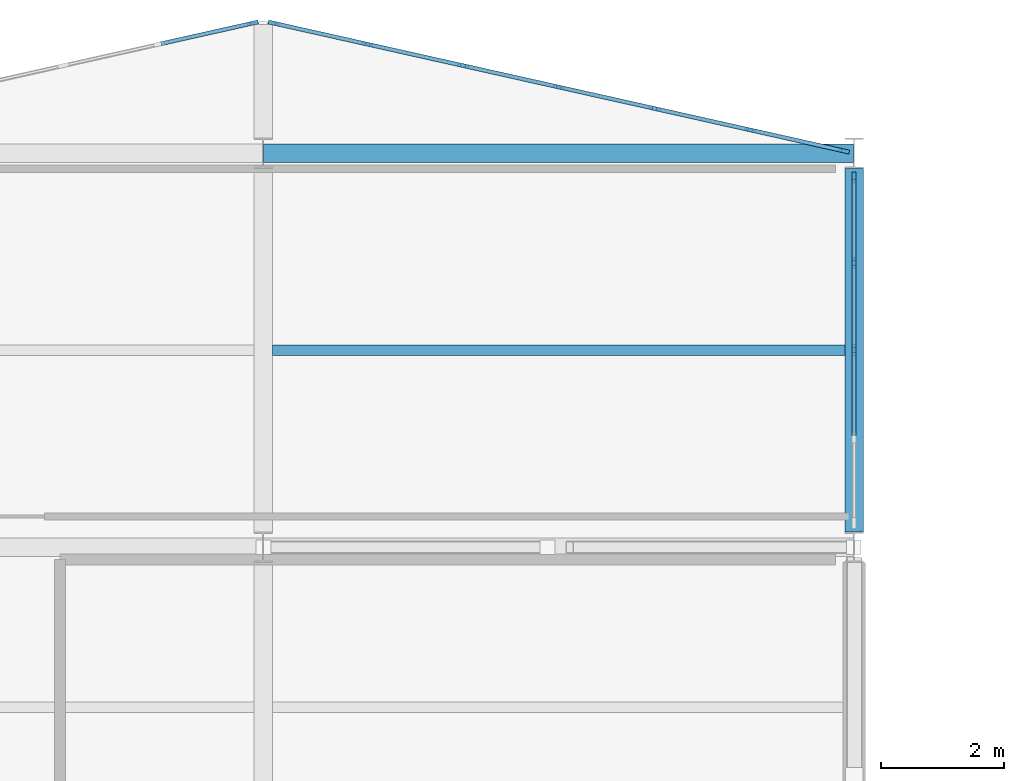
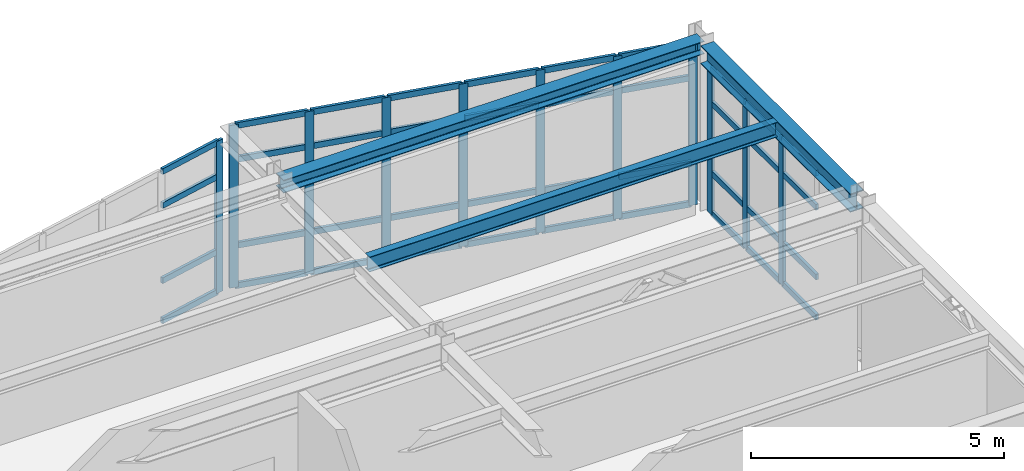
# One storey, part 37 of 64: 51 members, 3 beams, 3 elements without a shape of their own.
"""IFC4 building model written with IfcOpenShell, lengths in metres."""

from ifc_helpers import new_model, si_unit, direction, frame, origin, origin_2d, place, context, subcontext, project, spatial, rectangle, i_section, extrude, material, layer, layer_set, material_profile, profile_set, type_object, element, aggregate, save


model = new_model("IFC4")

# Units and contexts
model_context = context("Model", 3, precision=1e-05, world=origin(), true_north=direction((0.0, 1.0)))
body_context = subcontext(model_context, "Body", "Model", "MODEL_VIEW")
ifc_project = project(units=[si_unit("LENGTHUNIT", "METRE"), si_unit("AREAUNIT", "SQUARE_METRE"), si_unit("VOLUMEUNIT", "CUBIC_METRE"), si_unit("PLANEANGLEUNIT", "RADIAN"), si_unit("MASSUNIT", "GRAM", prefix="KILO")], contexts=[model_context])

# Site, building, storey
site_placement = place(None, origin())
site = spatial("IfcSite", under=ifc_project, at=site_placement, CompositionType="ELEMENT")
building_placement = place(site_placement, origin())
building = spatial("IfcBuilding", under=site, at=building_placement, Name="Nordkorset Police Headquarters", CompositionType="ELEMENT")
storey_placement = place(building_placement, frame((0.0, 0.0, 17.85009765625)))
storey = spatial("IfcBuildingStorey", under=building, at=storey_placement, Name="L04", CompositionType="ELEMENT", Elevation=17.85009765625)

# Beam
ifc_material_1 = material(Name="Steel S355J2", Category="steel")
ifc_material_profile_1 = material_profile(ifc_material_1, i_section(OverallWidth=0.169921875, OverallDepth=0.360107421875, WebThickness=0.008056640625, FlangeThickness=0.0126953125, FilletRadius=0.01806640625, at=origin_2d()), Name="IPE 360")
ifc_profile_set_1 = profile_set([ifc_material_profile_1], Name="Steel S355J2")
beam_type_1 = type_object("IfcBeamType", Name="Beam_IPE_360", PredefinedType="BEAM", material=ifc_profile_set_1)
beam_1_placement = place(storey_placement, frame((76.949951171875, 113.60009765625, 3.809814453125), z_axis=(1.0, 0.0, 0.0), x_axis=(0.0, 1.0, 0.0)))
element("IfcBeam", 1, at=beam_1_placement, inside=storey, type_object=beam_type_1, Name="Composite Floor Beam V2 L04 5-2-1", PredefinedType="BEAM", context=body_context, shape_type="SweptSolid", body=[
    extrude(i_section(OverallWidth=0.169921875, OverallDepth=0.360107421875, WebThickness=0.008056640625, FlangeThickness=0.0126953125, FilletRadius=0.01806640625, at=origin_2d()), origin(), (0.0, 0.0, 1.0), 9.300048828125),
])

# Curtain wall, member
ifc_material_2 = material(Name="Aluminium alloy AW-6060", Category="aluminium")
ifc_layer_1 = layer(ifc_material_2, 0.179931640625, Name="Aluminium alloy AW-6060")
ifc_layer_set_1 = layer_set([ifc_layer_1], Name="Aluminium alloy AW-6060")
curtain_wall_type_1 = type_object("IfcCurtainWallType", Name="CW_Unit_956x366", PredefinedType="USERDEFINED", material=ifc_layer_set_1)
curtain_wall_1_placement = place(storey_placement, origin())
curtain_wall_1 = element("IfcCurtainWall", 2, at=curtain_wall_1_placement, inside=storey, type_object=curtain_wall_type_1, Name="Unitised Curtain Wall L04 V2N-4", ObjectType="UNITISED CURTAIN WALL", PredefinedType="USERDEFINED")
ifc_material_3 = material(Name="Aluminium alloy AW-6060", Category="aluminium")
ifc_material_profile_2 = material_profile(ifc_material_3, rectangle(XDim=0.06494140625, YDim=0.179931640625, at=origin_2d()), Name="ALU MULL 65x180")
ifc_profile_set_2 = profile_set([ifc_material_profile_2], Name="Aluminium alloy AW-6060")
member_type_1 = type_object("IfcMemberType", Name="CW_Mullion_65x180", PredefinedType="MULLION", material=ifc_profile_set_2)
member_1_placement = place(storey_placement, frame((76.631591796875, 118.912353515625, 0.0), z_axis=(0.0, 0.0, 1.0), x_axis=(-0.218544020358, 0.975827090814, 0.0)))
member_1 = element("IfcMember", 3, at=member_1_placement, type_object=member_type_1, Name="CW-61 mullion 7", PredefinedType="MULLION", context=body_context, shape_type="SweptSolid", body=[
    extrude(rectangle(XDim=0.06494140625, YDim=0.179931640625, at=origin_2d()), origin(), (0.0, 0.0, 1.0), 3.659912109375),
])

# Curtain wall, members
ifc_material_4 = material(Name="Aluminium alloy AW-6060", Category="aluminium")
ifc_layer_2 = layer(ifc_material_4, 0.179931640625, Name="Aluminium alloy AW-6060")
ifc_layer_set_2 = layer_set([ifc_layer_2], Name="Aluminium alloy AW-6060")
curtain_wall_type_2 = type_object("IfcCurtainWallType", Name="CW_Unit_956x392", PredefinedType="USERDEFINED", material=ifc_layer_set_2)
curtain_wall_2_placement = place(storey_placement, origin())
curtain_wall_2 = element("IfcCurtainWall", 4, at=curtain_wall_2_placement, inside=storey, type_object=curtain_wall_type_2, Name="Unitised Curtain Wall L04 V2N-5", ObjectType="UNITISED CURTAIN WALL", PredefinedType="USERDEFINED")
member_2_placement = place(storey_placement, frame((76.96826171875, 118.912353515625, 0.0), z_axis=(0.0, 0.0, 1.0), x_axis=(0.218544020358, 0.975827090814, 0.0)))
member_2 = element("IfcMember", 5, at=member_2_placement, type_object=member_type_1, Name="CW-41 mullion 1", PredefinedType="MULLION", context=body_context, shape_type="SweptSolid", body=[
    extrude(rectangle(XDim=0.06494140625, YDim=0.179931640625, at=origin_2d()), origin(), (0.0, 0.0, 1.0), 3.919921875),
])
member_3_placement = place(storey_placement, frame((78.490966796875, 118.5712890625, 0.0), z_axis=(0.0, 0.0, 1.0), x_axis=(0.218544020358, 0.975827090814, 0.0)))
member_3 = element("IfcMember", 6, at=member_3_placement, type_object=member_type_1, Name="CW-41 mullion 2", PredefinedType="MULLION", context=body_context, shape_type="SweptSolid", body=[
    extrude(rectangle(XDim=0.06494140625, YDim=0.179931640625, at=origin_2d()), origin(), (0.0, 0.0, 1.0), 3.919921875),
])
member_4_placement = place(storey_placement, frame((80.045654296875, 118.22314453125, 0.0), z_axis=(0.0, 0.0, 1.0), x_axis=(0.218544020358, 0.975827090814, 0.0)))
member_4 = element("IfcMember", 7, at=member_4_placement, type_object=member_type_1, Name="CW-41 mullion 3", PredefinedType="MULLION", context=body_context, shape_type="SweptSolid", body=[
    extrude(rectangle(XDim=0.06494140625, YDim=0.179931640625, at=origin_2d()), origin(), (0.0, 0.0, 1.0), 3.919921875),
])
member_5_placement = place(storey_placement, frame((81.60009765625, 117.875, 0.0), z_axis=(0.0, 0.0, 1.0), x_axis=(0.218544020358, 0.975827090814, 0.0)))
member_5 = element("IfcMember", 8, at=member_5_placement, type_object=member_type_1, Name="CW-41 mullion 4", PredefinedType="MULLION", context=body_context, shape_type="SweptSolid", body=[
    extrude(rectangle(XDim=0.06494140625, YDim=0.179931640625, at=origin_2d()), origin(), (0.0, 0.0, 1.0), 3.919921875),
])
member_6_placement = place(storey_placement, frame((83.154541015625, 117.52685546875, 0.0), z_axis=(0.0, 0.0, 1.0), x_axis=(0.218544020358, 0.975827090814, 0.0)))
member_6 = element("IfcMember", 9, at=member_6_placement, type_object=member_type_1, Name="CW-41 mullion 5", PredefinedType="MULLION", context=body_context, shape_type="SweptSolid", body=[
    extrude(rectangle(XDim=0.06494140625, YDim=0.179931640625, at=origin_2d()), origin(), (0.0, 0.0, 1.0), 3.919921875),
])
member_7_placement = place(storey_placement, frame((84.708984375, 117.1787109375, 0.0), z_axis=(0.0, 0.0, 1.0), x_axis=(0.218544020358, 0.975827090814, 0.0)))
member_7 = element("IfcMember", 10, at=member_7_placement, type_object=member_type_1, Name="CW-41 mullion 6", PredefinedType="MULLION", context=body_context, shape_type="SweptSolid", body=[
    extrude(rectangle(XDim=0.06494140625, YDim=0.179931640625, at=origin_2d()), origin(), (0.0, 0.0, 1.0), 3.919921875),
])
member_8_placement = place(storey_placement, frame((86.231689453125, 116.837646484375, 0.0), z_axis=(0.0, 0.0, 1.0), x_axis=(0.218544020358, 0.975827090814, 0.0)))
member_8 = element("IfcMember", 11, at=member_8_placement, type_object=member_type_1, Name="CW-41 mullion 7", PredefinedType="MULLION", context=body_context, shape_type="SweptSolid", body=[
    extrude(rectangle(XDim=0.06494140625, YDim=0.179931640625, at=origin_2d()), origin(), (0.0, 0.0, 1.0), 3.919921875),
])

ifc_material_5 = material(Name="Aluminium alloy AW-6060", Category="aluminium")
ifc_layer_3 = layer(ifc_material_5, 0.179931640625, Name="Aluminium alloy AW-6060")
ifc_layer_set_3 = layer_set([ifc_layer_3], Name="Aluminium alloy AW-6060")
curtain_wall_type_3 = type_object("IfcCurtainWallType", Name="CW_Unit_568x353", PredefinedType="USERDEFINED", material=ifc_layer_set_3)
curtain_wall_3_placement = place(storey_placement, origin())
curtain_wall_3 = element("IfcCurtainWall", 12, at=curtain_wall_3_placement, inside=storey, type_object=curtain_wall_type_3, Name="Unitised Curtain Wall L04 V2E-1", ObjectType="UNITISED CURTAIN WALL", PredefinedType="USERDEFINED")
member_9_placement = place(storey_placement, frame((86.39990234375, 113.60009765625, 0.0), z_axis=(0.0, 0.0, 1.0), x_axis=(-1.0, 0.0, 0.0)))
member_9 = element("IfcMember", 13, at=member_9_placement, type_object=member_type_1, Name="CW-17 mullion 3", PredefinedType="MULLION", context=body_context, shape_type="SweptSolid", body=[
    extrude(rectangle(XDim=0.06494140625, YDim=0.179931640625, at=origin_2d()), origin(), (0.0, 0.0, 1.0), 3.52978515625),
])
member_10_placement = place(storey_placement, frame((86.39990234375, 115.02001953125, 0.0), z_axis=(0.0, 0.0, 1.0), x_axis=(-1.0, 0.0, 0.0)))
member_10 = element("IfcMember", 14, at=member_10_placement, type_object=member_type_1, Name="CW-17 mullion 4", PredefinedType="MULLION", context=body_context, shape_type="SweptSolid", body=[
    extrude(rectangle(XDim=0.06494140625, YDim=0.179931640625, at=origin_2d()), origin(), (0.0, 0.0, 1.0), 3.52978515625),
])
member_11_placement = place(storey_placement, frame((86.39990234375, 116.407470703125, 0.0), z_axis=(0.0, 0.0, 1.0), x_axis=(-1.0, 0.0, 0.0)))
member_11 = element("IfcMember", 15, at=member_11_placement, type_object=member_type_1, Name="CW-17 mullion 5", PredefinedType="MULLION", context=body_context, shape_type="SweptSolid", body=[
    extrude(rectangle(XDim=0.06494140625, YDim=0.179931640625, at=origin_2d()), origin(), (0.0, 0.0, 1.0), 3.52978515625),
])

# Member
ifc_material_6 = material(Name="Aluminium alloy AW-6060", Category="aluminium")
ifc_material_profile_3 = material_profile(ifc_material_6, rectangle(XDim=0.06494140625, YDim=0.139892578125, at=origin_2d()), Name="ALU TRAN 65x140")
ifc_profile_set_3 = profile_set([ifc_material_profile_3], Name="Aluminium alloy AW-6060")
member_type_2 = type_object("IfcMemberType", Name="CW_Transom_65x140", PredefinedType="USERDEFINED", material=ifc_profile_set_3)
member_12_placement = place(storey_placement, frame((75.140625, 118.578369140625, 0.032470703125), z_axis=(0.975813000089, 0.218606927743, 0.0), x_axis=(-0.218606927743, 0.975813000089, 0.0)))
member_12 = element("IfcMember", 16, at=member_12_placement, type_object=member_type_2, Name="CW-61 transom 6.1", ObjectType="TRANSOM", PredefinedType="USERDEFINED", context=body_context, shape_type="SweptSolid", body=[
    extrude(rectangle(XDim=0.06494140625, YDim=0.139892578125, at=origin_2d()), origin(), (0.0, 0.0, 1.0), 1.495361328125),
])

member_13_placement = place(storey_placement, frame((75.140625, 118.578369140625, 1.0), z_axis=(0.975813000089, 0.218606927743, 0.0), x_axis=(-0.218606927743, 0.975813000089, 0.0)))
member_13 = element("IfcMember", 17, at=member_13_placement, type_object=member_type_2, Name="CW-61 transom 6.2", ObjectType="TRANSOM", PredefinedType="USERDEFINED", context=body_context, shape_type="SweptSolid", body=[
    extrude(rectangle(XDim=0.06494140625, YDim=0.139892578125, at=origin_2d()), origin(), (0.0, 0.0, 1.0), 1.495361328125),
])

member_14_placement = place(storey_placement, frame((75.140625, 118.578369140625, 2.809814453125), z_axis=(0.975813000089, 0.218606927743, 0.0), x_axis=(-0.218606927743, 0.975813000089, 0.0)))
member_14 = element("IfcMember", 18, at=member_14_placement, type_object=member_type_2, Name="CW-61 transom 6.3", ObjectType="TRANSOM", PredefinedType="USERDEFINED", context=body_context, shape_type="SweptSolid", body=[
    extrude(rectangle(XDim=0.06494140625, YDim=0.139892578125, at=origin_2d()), origin(), (0.0, 0.0, 1.0), 1.495361328125),
])

member_15_placement = place(storey_placement, frame((75.140625, 118.578369140625, 3.62744140625), z_axis=(0.975813000089, 0.218606927743, 0.0), x_axis=(-0.218606927743, 0.975813000089, 0.0)))
member_15 = element("IfcMember", 19, at=member_15_placement, type_object=member_type_2, Name="CW-61 transom 6.4", ObjectType="TRANSOM", PredefinedType="USERDEFINED", context=body_context, shape_type="SweptSolid", body=[
    extrude(rectangle(XDim=0.06494140625, YDim=0.139892578125, at=origin_2d()), origin(), (0.0, 0.0, 1.0), 1.495361328125),
])

aggregate(curtain_wall_1, [member_1, member_12, member_13, member_14, member_15])

member_16_placement = place(storey_placement, frame((77.0, 118.9052734375, 0.032470703125), z_axis=(0.975820800319, -0.218572106328, 0.0), x_axis=(0.218572106328, 0.975820800319, 0.0)))
member_16 = element("IfcMember", 20, at=member_16_placement, type_object=member_type_2, Name="CW-41 transom 1.1", ObjectType="TRANSOM", PredefinedType="USERDEFINED", context=body_context, shape_type="SweptSolid", body=[
    extrude(rectangle(XDim=0.06494140625, YDim=0.139892578125, at=origin_2d()), origin(), (0.0, 0.0, 1.0), 1.49560546875),
])

member_17_placement = place(storey_placement, frame((77.0, 118.9052734375, 1.0), z_axis=(0.975820800319, -0.218572106328, 0.0), x_axis=(0.218572106328, 0.975820800319, 0.0)))
member_17 = element("IfcMember", 21, at=member_17_placement, type_object=member_type_2, Name="CW-41 transom 1.2", ObjectType="TRANSOM", PredefinedType="USERDEFINED", context=body_context, shape_type="SweptSolid", body=[
    extrude(rectangle(XDim=0.06494140625, YDim=0.139892578125, at=origin_2d()), origin(), (0.0, 0.0, 1.0), 1.49560546875),
])

member_18_placement = place(storey_placement, frame((77.0, 118.9052734375, 3.06982421875), z_axis=(0.975820800319, -0.218572106328, 0.0), x_axis=(0.218572106328, 0.975820800319, 0.0)))
member_18 = element("IfcMember", 22, at=member_18_placement, type_object=member_type_2, Name="CW-41 transom 1.3", ObjectType="TRANSOM", PredefinedType="USERDEFINED", context=body_context, shape_type="SweptSolid", body=[
    extrude(rectangle(XDim=0.06494140625, YDim=0.139892578125, at=origin_2d()), origin(), (0.0, 0.0, 1.0), 1.49560546875),
])

member_19_placement = place(storey_placement, frame((77.0, 118.9052734375, 3.887451171875), z_axis=(0.975820800319, -0.218572106328, 0.0), x_axis=(0.218572106328, 0.975820800319, 0.0)))
member_19 = element("IfcMember", 23, at=member_19_placement, type_object=member_type_2, Name="CW-41 transom 1.4", ObjectType="TRANSOM", PredefinedType="USERDEFINED", context=body_context, shape_type="SweptSolid", body=[
    extrude(rectangle(XDim=0.06494140625, YDim=0.139892578125, at=origin_2d()), origin(), (0.0, 0.0, 1.0), 1.49560546875),
])

member_20_placement = place(storey_placement, frame((78.522705078125, 118.564208984375, 0.032470703125), z_axis=(0.975824835817, -0.218554088965, 0.0), x_axis=(0.218554088965, 0.975824835817, 0.0)))
member_20 = element("IfcMember", 24, at=member_20_placement, type_object=member_type_2, Name="CW-41 transom 2.1", ObjectType="TRANSOM", PredefinedType="USERDEFINED", context=body_context, shape_type="SweptSolid", body=[
    extrude(rectangle(XDim=0.06494140625, YDim=0.139892578125, at=origin_2d()), origin(), (0.0, 0.0, 1.0), 1.528076171875),
])

member_21_placement = place(storey_placement, frame((78.522705078125, 118.564208984375, 1.0), z_axis=(0.975824835817, -0.218554088965, 0.0), x_axis=(0.218554088965, 0.975824835817, 0.0)))
member_21 = element("IfcMember", 25, at=member_21_placement, type_object=member_type_2, Name="CW-41 transom 2.2", ObjectType="TRANSOM", PredefinedType="USERDEFINED", context=body_context, shape_type="SweptSolid", body=[
    extrude(rectangle(XDim=0.06494140625, YDim=0.139892578125, at=origin_2d()), origin(), (0.0, 0.0, 1.0), 1.528076171875),
])

member_22_placement = place(storey_placement, frame((78.522705078125, 118.564208984375, 3.06982421875), z_axis=(0.975824835817, -0.218554088965, 0.0), x_axis=(0.218554088965, 0.975824835817, 0.0)))
member_22 = element("IfcMember", 26, at=member_22_placement, type_object=member_type_2, Name="CW-41 transom 2.3", ObjectType="TRANSOM", PredefinedType="USERDEFINED", context=body_context, shape_type="SweptSolid", body=[
    extrude(rectangle(XDim=0.06494140625, YDim=0.139892578125, at=origin_2d()), origin(), (0.0, 0.0, 1.0), 1.528076171875),
])

member_23_placement = place(storey_placement, frame((78.522705078125, 118.564208984375, 3.887451171875), z_axis=(0.975824835817, -0.218554088965, 0.0), x_axis=(0.218554088965, 0.975824835817, 0.0)))
member_23 = element("IfcMember", 27, at=member_23_placement, type_object=member_type_2, Name="CW-41 transom 2.4", ObjectType="TRANSOM", PredefinedType="USERDEFINED", context=body_context, shape_type="SweptSolid", body=[
    extrude(rectangle(XDim=0.06494140625, YDim=0.139892578125, at=origin_2d()), origin(), (0.0, 0.0, 1.0), 1.528076171875),
])

member_24_placement = place(storey_placement, frame((80.0771484375, 118.216064453125, 0.032470703125), z_axis=(0.975824835817, -0.218554088965, 0.0), x_axis=(0.218554088965, 0.975824835817, 0.0)))
member_24 = element("IfcMember", 28, at=member_24_placement, type_object=member_type_2, Name="CW-41 transom 3.1", ObjectType="TRANSOM", PredefinedType="USERDEFINED", context=body_context, shape_type="SweptSolid", body=[
    extrude(rectangle(XDim=0.06494140625, YDim=0.139892578125, at=origin_2d()), origin(), (0.0, 0.0, 1.0), 1.528076171875),
])

member_25_placement = place(storey_placement, frame((80.0771484375, 118.216064453125, 1.0), z_axis=(0.975824835817, -0.218554088965, 0.0), x_axis=(0.218554088965, 0.975824835817, 0.0)))
member_25 = element("IfcMember", 29, at=member_25_placement, type_object=member_type_2, Name="CW-41 transom 3.2", ObjectType="TRANSOM", PredefinedType="USERDEFINED", context=body_context, shape_type="SweptSolid", body=[
    extrude(rectangle(XDim=0.06494140625, YDim=0.139892578125, at=origin_2d()), origin(), (0.0, 0.0, 1.0), 1.528076171875),
])

member_26_placement = place(storey_placement, frame((80.0771484375, 118.216064453125, 3.06982421875), z_axis=(0.975824835817, -0.218554088965, 0.0), x_axis=(0.218554088965, 0.975824835817, 0.0)))
member_26 = element("IfcMember", 30, at=member_26_placement, type_object=member_type_2, Name="CW-41 transom 3.3", ObjectType="TRANSOM", PredefinedType="USERDEFINED", context=body_context, shape_type="SweptSolid", body=[
    extrude(rectangle(XDim=0.06494140625, YDim=0.139892578125, at=origin_2d()), origin(), (0.0, 0.0, 1.0), 1.528076171875),
])

member_27_placement = place(storey_placement, frame((80.0771484375, 118.216064453125, 3.887451171875), z_axis=(0.975824835817, -0.218554088965, 0.0), x_axis=(0.218554088965, 0.975824835817, 0.0)))
member_27 = element("IfcMember", 31, at=member_27_placement, type_object=member_type_2, Name="CW-41 transom 3.4", ObjectType="TRANSOM", PredefinedType="USERDEFINED", context=body_context, shape_type="SweptSolid", body=[
    extrude(rectangle(XDim=0.06494140625, YDim=0.139892578125, at=origin_2d()), origin(), (0.0, 0.0, 1.0), 1.528076171875),
])

member_28_placement = place(storey_placement, frame((81.6318359375, 117.867919921875, 0.032470703125), z_axis=(0.975817202869, -0.218588166616, 0.0), x_axis=(0.218588166616, 0.975817202869, 0.0)))
member_28 = element("IfcMember", 32, at=member_28_placement, type_object=member_type_2, Name="CW-41 transom 4.1", ObjectType="TRANSOM", PredefinedType="USERDEFINED", context=body_context, shape_type="SweptSolid", body=[
    extrude(rectangle(XDim=0.06494140625, YDim=0.139892578125, at=origin_2d()), origin(), (0.0, 0.0, 1.0), 1.52783203125),
])

member_29_placement = place(storey_placement, frame((81.6318359375, 117.867919921875, 1.0), z_axis=(0.975817202869, -0.218588166616, 0.0), x_axis=(0.218588166616, 0.975817202869, 0.0)))
member_29 = element("IfcMember", 33, at=member_29_placement, type_object=member_type_2, Name="CW-41 transom 4.2", ObjectType="TRANSOM", PredefinedType="USERDEFINED", context=body_context, shape_type="SweptSolid", body=[
    extrude(rectangle(XDim=0.06494140625, YDim=0.139892578125, at=origin_2d()), origin(), (0.0, 0.0, 1.0), 1.52783203125),
])

member_30_placement = place(storey_placement, frame((81.6318359375, 117.867919921875, 3.06982421875), z_axis=(0.975817202869, -0.218588166616, 0.0), x_axis=(0.218588166616, 0.975817202869, 0.0)))
member_30 = element("IfcMember", 34, at=member_30_placement, type_object=member_type_2, Name="CW-41 transom 4.3", ObjectType="TRANSOM", PredefinedType="USERDEFINED", context=body_context, shape_type="SweptSolid", body=[
    extrude(rectangle(XDim=0.06494140625, YDim=0.139892578125, at=origin_2d()), origin(), (0.0, 0.0, 1.0), 1.52783203125),
])

member_31_placement = place(storey_placement, frame((81.6318359375, 117.867919921875, 3.887451171875), z_axis=(0.975817202869, -0.218588166616, 0.0), x_axis=(0.218588166616, 0.975817202869, 0.0)))
member_31 = element("IfcMember", 35, at=member_31_placement, type_object=member_type_2, Name="CW-41 transom 4.4", ObjectType="TRANSOM", PredefinedType="USERDEFINED", context=body_context, shape_type="SweptSolid", body=[
    extrude(rectangle(XDim=0.06494140625, YDim=0.139892578125, at=origin_2d()), origin(), (0.0, 0.0, 1.0), 1.52783203125),
])

member_32_placement = place(storey_placement, frame((83.186279296875, 117.519775390625, 0.032470703125), z_axis=(0.975817202869, -0.218588166616, 0.0), x_axis=(0.218588166616, 0.975817202869, 0.0)))
member_32 = element("IfcMember", 36, at=member_32_placement, type_object=member_type_2, Name="CW-41 transom 5.1", ObjectType="TRANSOM", PredefinedType="USERDEFINED", context=body_context, shape_type="SweptSolid", body=[
    extrude(rectangle(XDim=0.06494140625, YDim=0.139892578125, at=origin_2d()), origin(), (0.0, 0.0, 1.0), 1.52783203125),
])

member_33_placement = place(storey_placement, frame((83.186279296875, 117.519775390625, 1.0), z_axis=(0.975817202869, -0.218588166616, 0.0), x_axis=(0.218588166616, 0.975817202869, 0.0)))
member_33 = element("IfcMember", 37, at=member_33_placement, type_object=member_type_2, Name="CW-41 transom 5.2", ObjectType="TRANSOM", PredefinedType="USERDEFINED", context=body_context, shape_type="SweptSolid", body=[
    extrude(rectangle(XDim=0.06494140625, YDim=0.139892578125, at=origin_2d()), origin(), (0.0, 0.0, 1.0), 1.52783203125),
])

member_34_placement = place(storey_placement, frame((83.186279296875, 117.519775390625, 3.06982421875), z_axis=(0.975817202869, -0.218588166616, 0.0), x_axis=(0.218588166616, 0.975817202869, 0.0)))
member_34 = element("IfcMember", 38, at=member_34_placement, type_object=member_type_2, Name="CW-41 transom 5.3", ObjectType="TRANSOM", PredefinedType="USERDEFINED", context=body_context, shape_type="SweptSolid", body=[
    extrude(rectangle(XDim=0.06494140625, YDim=0.139892578125, at=origin_2d()), origin(), (0.0, 0.0, 1.0), 1.52783203125),
])

member_35_placement = place(storey_placement, frame((83.186279296875, 117.519775390625, 3.887451171875), z_axis=(0.975817202869, -0.218588166616, 0.0), x_axis=(0.218588166616, 0.975817202869, 0.0)))
member_35 = element("IfcMember", 39, at=member_35_placement, type_object=member_type_2, Name="CW-41 transom 5.4", ObjectType="TRANSOM", PredefinedType="USERDEFINED", context=body_context, shape_type="SweptSolid", body=[
    extrude(rectangle(XDim=0.06494140625, YDim=0.139892578125, at=origin_2d()), origin(), (0.0, 0.0, 1.0), 1.52783203125),
])

member_36_placement = place(storey_placement, frame((84.74072265625, 117.171630859375, 0.032470703125), z_axis=(0.975813000089, -0.218606927743, 0.0), x_axis=(0.218606927743, 0.975813000089, 0.0)))
member_36 = element("IfcMember", 40, at=member_36_placement, type_object=member_type_2, Name="CW-41 transom 6.1", ObjectType="TRANSOM", PredefinedType="USERDEFINED", context=body_context, shape_type="SweptSolid", body=[
    extrude(rectangle(XDim=0.06494140625, YDim=0.139892578125, at=origin_2d()), origin(), (0.0, 0.0, 1.0), 1.495361328125),
])

member_37_placement = place(storey_placement, frame((84.74072265625, 117.171630859375, 1.0), z_axis=(0.975813000089, -0.218606927743, 0.0), x_axis=(0.218606927743, 0.975813000089, 0.0)))
member_37 = element("IfcMember", 41, at=member_37_placement, type_object=member_type_2, Name="CW-41 transom 6.2", ObjectType="TRANSOM", PredefinedType="USERDEFINED", context=body_context, shape_type="SweptSolid", body=[
    extrude(rectangle(XDim=0.06494140625, YDim=0.139892578125, at=origin_2d()), origin(), (0.0, 0.0, 1.0), 1.495361328125),
])

member_38_placement = place(storey_placement, frame((84.74072265625, 117.171630859375, 3.06982421875), z_axis=(0.975813000089, -0.218606927743, 0.0), x_axis=(0.218606927743, 0.975813000089, 0.0)))
member_38 = element("IfcMember", 42, at=member_38_placement, type_object=member_type_2, Name="CW-41 transom 6.3", ObjectType="TRANSOM", PredefinedType="USERDEFINED", context=body_context, shape_type="SweptSolid", body=[
    extrude(rectangle(XDim=0.06494140625, YDim=0.139892578125, at=origin_2d()), origin(), (0.0, 0.0, 1.0), 1.495361328125),
])

member_39_placement = place(storey_placement, frame((84.74072265625, 117.171630859375, 3.887451171875), z_axis=(0.975813000089, -0.218606927743, 0.0), x_axis=(0.218606927743, 0.975813000089, 0.0)))
member_39 = element("IfcMember", 43, at=member_39_placement, type_object=member_type_2, Name="CW-41 transom 6.4", ObjectType="TRANSOM", PredefinedType="USERDEFINED", context=body_context, shape_type="SweptSolid", body=[
    extrude(rectangle(XDim=0.06494140625, YDim=0.139892578125, at=origin_2d()), origin(), (0.0, 0.0, 1.0), 1.495361328125),
])

aggregate(curtain_wall_2, [member_2, member_3, member_4, member_5, member_6, member_7, member_8, member_16, member_17, member_18, member_19, member_20, member_21, member_22, member_23, member_24, member_25, member_26, member_27, member_28, member_29, member_30, member_31, member_32, member_33, member_34, member_35, member_36, member_37, member_38, member_39])

member_40_placement = place(storey_placement, frame((86.39990234375, 112.21240234375, 0.032470703125), z_axis=(0.0, 1.0, 0.0), x_axis=(-1.0, 0.0, 0.0)))
member_40 = element("IfcMember", 44, at=member_40_placement, type_object=member_type_2, Name="CW-17 transom 2.1", ObjectType="TRANSOM", PredefinedType="USERDEFINED", context=body_context, shape_type="SweptSolid", body=[
    extrude(rectangle(XDim=0.06494140625, YDim=0.139892578125, at=origin_2d()), origin(), (0.0, 0.0, 1.0), 1.35498046875),
])

member_41_placement = place(storey_placement, frame((86.39990234375, 112.21240234375, 1.0), z_axis=(0.0, 1.0, 0.0), x_axis=(-1.0, 0.0, 0.0)))
member_41 = element("IfcMember", 45, at=member_41_placement, type_object=member_type_2, Name="CW-17 transom 2.2", ObjectType="TRANSOM", PredefinedType="USERDEFINED", context=body_context, shape_type="SweptSolid", body=[
    extrude(rectangle(XDim=0.06494140625, YDim=0.139892578125, at=origin_2d()), origin(), (0.0, 0.0, 1.0), 1.35498046875),
])

member_42_placement = place(storey_placement, frame((86.39990234375, 112.21240234375, 2.679931640625), z_axis=(0.0, 1.0, 0.0), x_axis=(-1.0, 0.0, 0.0)))
member_42 = element("IfcMember", 46, at=member_42_placement, type_object=member_type_2, Name="CW-17 transom 2.3", ObjectType="TRANSOM", PredefinedType="USERDEFINED", context=body_context, shape_type="SweptSolid", body=[
    extrude(rectangle(XDim=0.06494140625, YDim=0.139892578125, at=origin_2d()), origin(), (0.0, 0.0, 1.0), 1.35498046875),
])

member_43_placement = place(storey_placement, frame((86.39990234375, 112.21240234375, 3.497314453125), z_axis=(0.0, 1.0, 0.0), x_axis=(-1.0, 0.0, 0.0)))
member_43 = element("IfcMember", 47, at=member_43_placement, type_object=member_type_2, Name="CW-17 transom 2.4", ObjectType="TRANSOM", PredefinedType="USERDEFINED", context=body_context, shape_type="SweptSolid", body=[
    extrude(rectangle(XDim=0.06494140625, YDim=0.139892578125, at=origin_2d()), origin(), (0.0, 0.0, 1.0), 1.35498046875),
])

member_44_placement = place(storey_placement, frame((86.39990234375, 113.632568359375, 0.032470703125), z_axis=(0.0, 1.0, 0.0), x_axis=(-1.0, 0.0, 0.0)))
member_44 = element("IfcMember", 48, at=member_44_placement, type_object=member_type_2, Name="CW-17 transom 3.1", ObjectType="TRANSOM", PredefinedType="USERDEFINED", context=body_context, shape_type="SweptSolid", body=[
    extrude(rectangle(XDim=0.06494140625, YDim=0.139892578125, at=origin_2d()), origin(), (0.0, 0.0, 1.0), 1.35498046875),
])

member_45_placement = place(storey_placement, frame((86.39990234375, 113.632568359375, 1.0), z_axis=(0.0, 1.0, 0.0), x_axis=(-1.0, 0.0, 0.0)))
member_45 = element("IfcMember", 49, at=member_45_placement, type_object=member_type_2, Name="CW-17 transom 3.2", ObjectType="TRANSOM", PredefinedType="USERDEFINED", context=body_context, shape_type="SweptSolid", body=[
    extrude(rectangle(XDim=0.06494140625, YDim=0.139892578125, at=origin_2d()), origin(), (0.0, 0.0, 1.0), 1.35498046875),
])

member_46_placement = place(storey_placement, frame((86.39990234375, 113.632568359375, 2.679931640625), z_axis=(0.0, 1.0, 0.0), x_axis=(-1.0, 0.0, 0.0)))
member_46 = element("IfcMember", 50, at=member_46_placement, type_object=member_type_2, Name="CW-17 transom 3.3", ObjectType="TRANSOM", PredefinedType="USERDEFINED", context=body_context, shape_type="SweptSolid", body=[
    extrude(rectangle(XDim=0.06494140625, YDim=0.139892578125, at=origin_2d()), origin(), (0.0, 0.0, 1.0), 1.35498046875),
])

member_47_placement = place(storey_placement, frame((86.39990234375, 113.632568359375, 3.497314453125), z_axis=(0.0, 1.0, 0.0), x_axis=(-1.0, 0.0, 0.0)))
member_47 = element("IfcMember", 51, at=member_47_placement, type_object=member_type_2, Name="CW-17 transom 3.4", ObjectType="TRANSOM", PredefinedType="USERDEFINED", context=body_context, shape_type="SweptSolid", body=[
    extrude(rectangle(XDim=0.06494140625, YDim=0.139892578125, at=origin_2d()), origin(), (0.0, 0.0, 1.0), 1.35498046875),
])

member_48_placement = place(storey_placement, frame((86.39990234375, 115.052490234375, 0.032470703125), z_axis=(0.0, 1.0, 0.0), x_axis=(-1.0, 0.0, 0.0)))
member_48 = element("IfcMember", 52, at=member_48_placement, type_object=member_type_2, Name="CW-17 transom 4.1", ObjectType="TRANSOM", PredefinedType="USERDEFINED", context=body_context, shape_type="SweptSolid", body=[
    extrude(rectangle(XDim=0.06494140625, YDim=0.139892578125, at=origin_2d()), origin(), (0.0, 0.0, 1.0), 1.322509765625),
])

member_49_placement = place(storey_placement, frame((86.39990234375, 115.052490234375, 1.0), z_axis=(0.0, 1.0, 0.0), x_axis=(-1.0, 0.0, 0.0)))
member_49 = element("IfcMember", 53, at=member_49_placement, type_object=member_type_2, Name="CW-17 transom 4.2", ObjectType="TRANSOM", PredefinedType="USERDEFINED", context=body_context, shape_type="SweptSolid", body=[
    extrude(rectangle(XDim=0.06494140625, YDim=0.139892578125, at=origin_2d()), origin(), (0.0, 0.0, 1.0), 1.322509765625),
])

member_50_placement = place(storey_placement, frame((86.39990234375, 115.052490234375, 2.679931640625), z_axis=(0.0, 1.0, 0.0), x_axis=(-1.0, 0.0, 0.0)))
member_50 = element("IfcMember", 54, at=member_50_placement, type_object=member_type_2, Name="CW-17 transom 4.3", ObjectType="TRANSOM", PredefinedType="USERDEFINED", context=body_context, shape_type="SweptSolid", body=[
    extrude(rectangle(XDim=0.06494140625, YDim=0.139892578125, at=origin_2d()), origin(), (0.0, 0.0, 1.0), 1.322509765625),
])

member_51_placement = place(storey_placement, frame((86.39990234375, 115.052490234375, 3.497314453125), z_axis=(0.0, 1.0, 0.0), x_axis=(-1.0, 0.0, 0.0)))
member_51 = element("IfcMember", 55, at=member_51_placement, type_object=member_type_2, Name="CW-17 transom 4.4", ObjectType="TRANSOM", PredefinedType="USERDEFINED", context=body_context, shape_type="SweptSolid", body=[
    extrude(rectangle(XDim=0.06494140625, YDim=0.139892578125, at=origin_2d()), origin(), (0.0, 0.0, 1.0), 1.322509765625),
])

aggregate(curtain_wall_3, [member_9, member_10, member_11, member_40, member_41, member_42, member_43, member_44, member_45, member_46, member_47, member_48, member_49, member_50, member_51])

# Beams
ifc_material_7 = material(Name="Steel S355J2", Category="steel")
ifc_material_profile_4 = material_profile(ifc_material_7, i_section(OverallWidth=0.300048828125, OverallDepth=0.43994140625, WebThickness=0.011474609375, FlangeThickness=0.02099609375, FilletRadius=0.027099609375, at=origin_2d()), Name="HEA 450")
ifc_profile_set_4 = profile_set([ifc_material_profile_4], Name="Steel S355J2")
beam_type_2 = type_object("IfcBeamType", Name="Girder_HEA_450", PredefinedType="USERDEFINED", material=ifc_profile_set_4)
beam_2_placement = place(storey_placement, frame((86.39990234375, 110.64990234375, 3.77001953125), z_axis=(0.0, 1.0, 0.0), x_axis=(-1.0, 0.0, 0.0)))
element("IfcBeam", 56, at=beam_2_placement, inside=storey, type_object=beam_type_2, Name="Girder V2 L04 GY-6-2", ObjectType="GIRDER", PredefinedType="USERDEFINED", context=body_context, shape_type="SweptSolid", body=[
    extrude(i_section(OverallWidth=0.300048828125, OverallDepth=0.43994140625, WebThickness=0.011474609375, FlangeThickness=0.02099609375, FilletRadius=0.027099609375, at=origin_2d()), origin(), (0.0, 0.0, 1.0), 5.900146484375),
])
ifc_material_8 = material(Name="Steel S355J2", Category="steel")
ifc_material_profile_5 = material_profile(ifc_material_8, i_section(OverallWidth=0.300048828125, OverallDepth=0.31005859375, WebThickness=0.009033203125, FlangeThickness=0.015380859375, FilletRadius=0.027099609375, at=origin_2d()), Name="HEA 320")
ifc_profile_set_5 = profile_set([ifc_material_profile_5], Name="Steel S355J2")
beam_type_3 = type_object("IfcBeamType", Name="Spandrel_HEA_320", PredefinedType="SPANDREL", material=ifc_profile_set_5)
beam_3_placement = place(storey_placement, frame((76.807373046875, 116.800048828125, 3.8349609375), z_axis=(1.0, 0.0, 0.0), x_axis=(0.0, 1.0, 0.0)))
element("IfcBeam", 57, at=beam_3_placement, inside=storey, type_object=beam_type_3, Name="Girder V2 L04 GX-3-5", PredefinedType="SPANDREL", context=body_context, shape_type="SweptSolid", body=[
    extrude(i_section(OverallWidth=0.300048828125, OverallDepth=0.31005859375, WebThickness=0.009033203125, FlangeThickness=0.015380859375, FilletRadius=0.027099609375, at=origin_2d()), origin(), (0.0, 0.0, 1.0), 9.585205078125),
])

save(model, "model.ifc")
